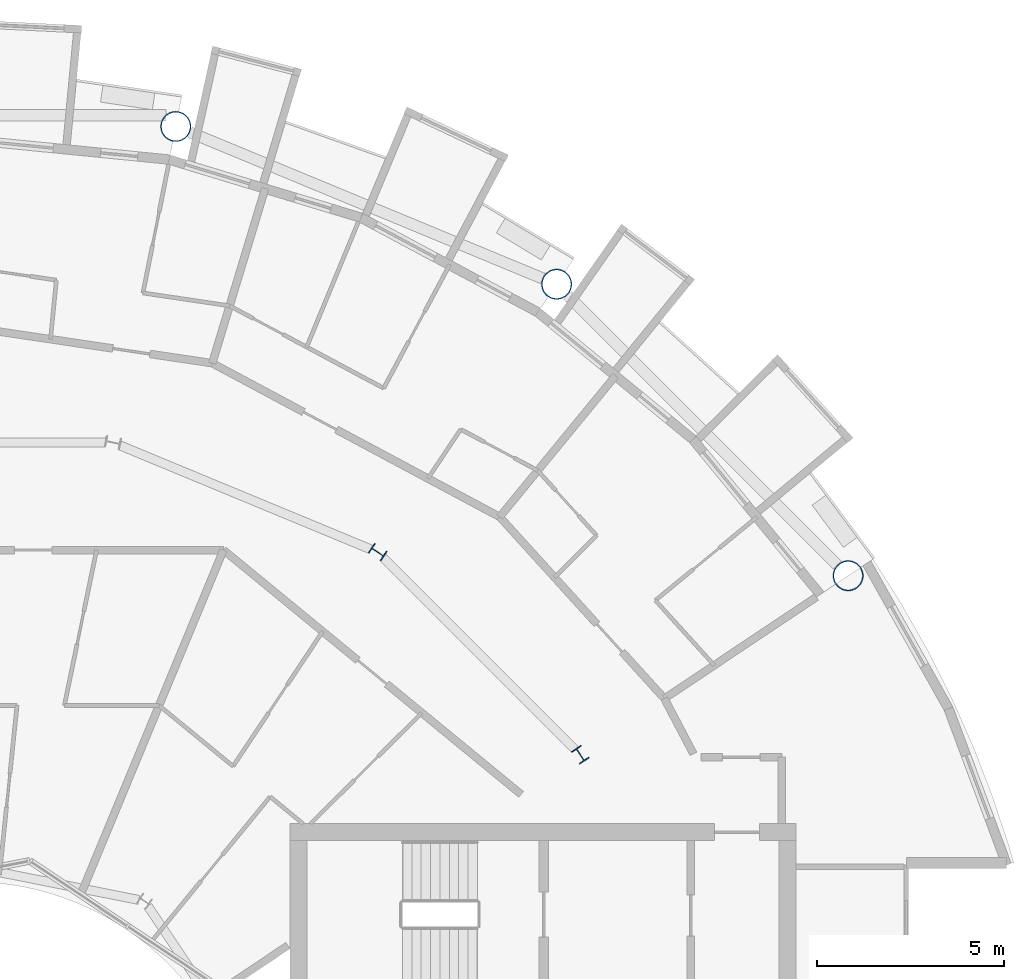
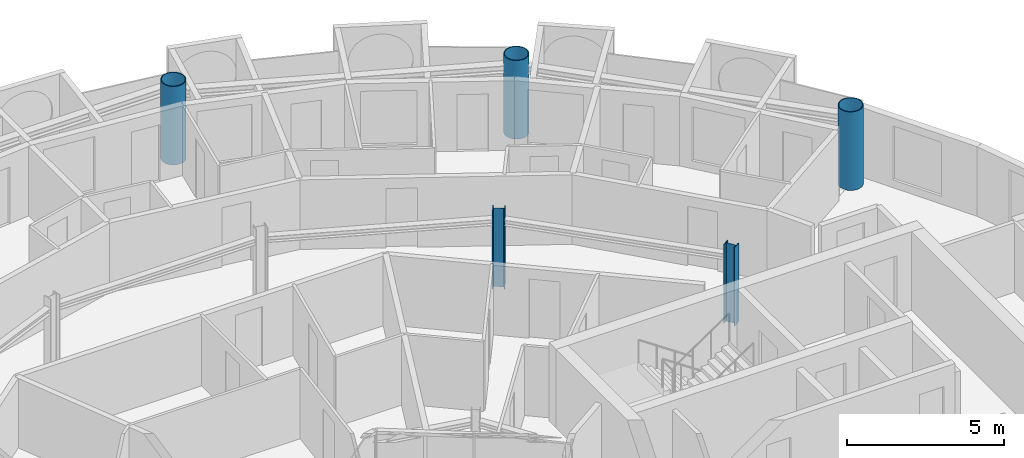
# One storey, part 5 of 29: 5 columns.
"""IFC4 building model written with IfcOpenShell, lengths in metres."""

from ifc_helpers import new_model, si_unit, direction, frame, origin, origin_2d, place, context, subcontext, project, spatial, hollow_circle, i_section, extrude, material, material_profile, profile_set, type_object, element, save


model = new_model("IFC4")

# Units and contexts
model_context = context("Model", 3, precision=1e-05, world=origin(), true_north=direction((0.0, 1.0)))
body_context = subcontext(model_context, "Body", "Model", "MODEL_VIEW")
ifc_project = project(units=[si_unit("LENGTHUNIT", "METRE"), si_unit("AREAUNIT", "SQUARE_METRE"), si_unit("VOLUMEUNIT", "CUBIC_METRE"), si_unit("PLANEANGLEUNIT", "RADIAN"), si_unit("MASSUNIT", "GRAM", prefix="KILO")], contexts=[model_context])

# Site, building, storey
site_placement = place(None, origin())
site = spatial("IfcSite", under=ifc_project, at=site_placement, CompositionType="ELEMENT")
building_placement = place(site_placement, origin())
building = spatial("IfcBuilding", under=site, at=building_placement, Name="Maasbend Ring Residences", CompositionType="ELEMENT")
storey_placement = place(building_placement, frame((0.0, 0.0, 215.75)))
storey = spatial("IfcBuildingStorey", under=building, at=storey_placement, Name="L62", CompositionType="ELEMENT", Elevation=215.75)

# Columns
ifc_material_1 = material(Name="Composite concrete-filled steel tube S460NH / C80/95", Category="concrete")
ifc_material_profile_1 = material_profile(ifc_material_1, hollow_circle(Radius=0.406494140625, WallThickness=0.030029296875, at=origin_2d()), Name="Composite tube column CHS 813x30")
ifc_profile_set_1 = profile_set([ifc_material_profile_1], Name="Composite concrete-filled steel tube S460NH / C80/95")
column_type_1 = type_object("IfcColumnType", Name="Composite tube column CHS 813x30", PredefinedType="COLUMN", material=ifc_profile_set_1)
for number, where, z_axis, x_axis, name in (
    (1, (23.447509765625, 15.6669921875, 0.0), (0.0, 0.0, 1.0), (1.0, 0.0, 0.0), "Outer column R2"),
    (2, (15.6669921875, 23.447509765625, 0.0), (0.0, 0.0, 1.0), (1.0, 0.0, 0.0), "Outer column R3"),
    (3, (5.50146484375, 27.658203125, 0.0), (0.0, 0.0, 1.0), (1.0, 0.0, 0.0), "Outer column R4"),
):
    element("IfcColumn", number, at=place(storey_placement, frame(where, z_axis=z_axis, x_axis=x_axis)), inside=storey, type_object=column_type_1, Name=name, PredefinedType="COLUMN", context=body_context, shape_type="SweptSolid", body=[
        extrude(hollow_circle(Radius=0.406494140625, WallThickness=0.030029296875, at=origin_2d()), origin(), (0.0, 0.0, 1.0), 3.050048828125),
    ])
ifc_material_2 = material(Name="Steel S355J2", Category="steel")
ifc_material_profile_2 = material_profile(ifc_material_2, i_section(OverallWidth=0.300048828125, OverallDepth=0.39990234375, WebThickness=0.013427734375, FlangeThickness=0.02392578125, FilletRadius=0.027099609375, at=origin_2d()), Name="HEB 400")
ifc_profile_set_2 = profile_set([ifc_material_profile_2], Name="Steel S355J2")
column_type_2 = type_object("IfcColumnType", Name="Steel column HEB 400", PredefinedType="COLUMN", material=ifc_profile_set_2)
for number, where, z_axis, x_axis, name in (
    (4, (16.296875, 10.88916015625, 0.0), (0.0, 0.0, 1.0), (0.831469612303, 0.55557023302, 0.0), "Corridor ring column R2"),
    (5, (10.88916015625, 16.296875, 0.0), (0.0, 0.0, 1.0), (0.55557023302, 0.831469612303, 0.0), "Corridor ring column R3"),
):
    element("IfcColumn", number, at=place(storey_placement, frame(where, z_axis=z_axis, x_axis=x_axis)), inside=storey, type_object=column_type_2, Name=name, PredefinedType="COLUMN", context=body_context, shape_type="SweptSolid", body=[
        extrude(i_section(OverallWidth=0.300048828125, OverallDepth=0.39990234375, WebThickness=0.013427734375, FlangeThickness=0.02392578125, FilletRadius=0.027099609375, at=origin_2d()), origin(), (0.0, 0.0, 1.0), 3.050048828125),
    ])

save(model, "model.ifc")
